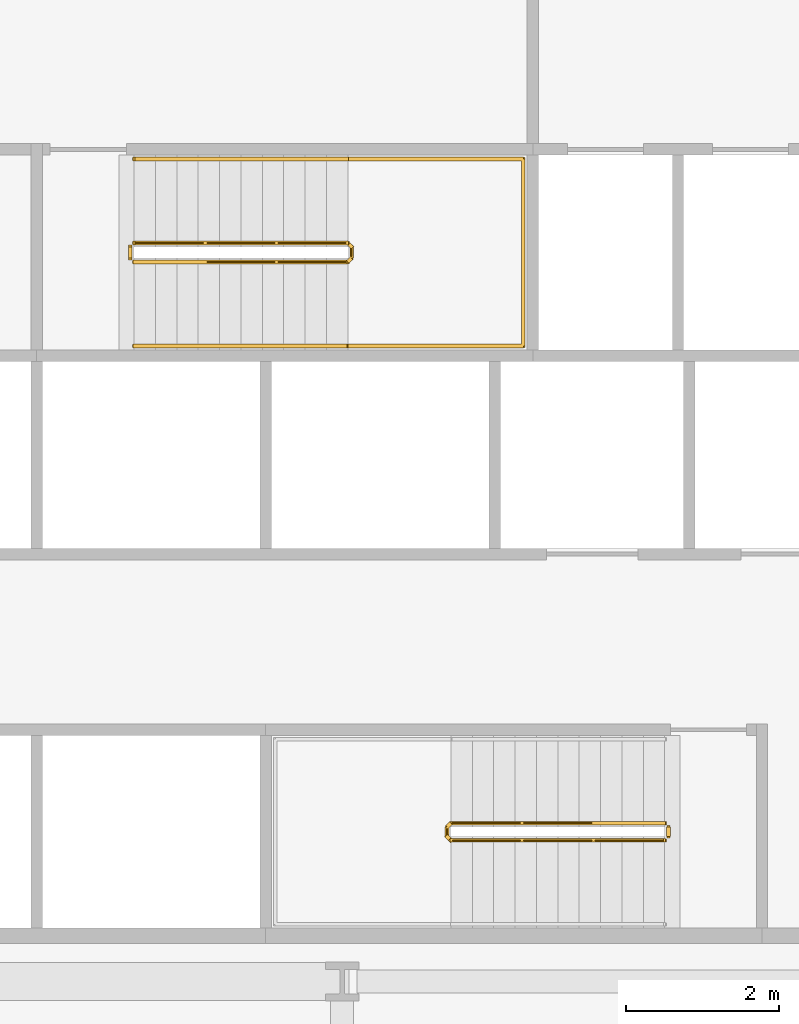
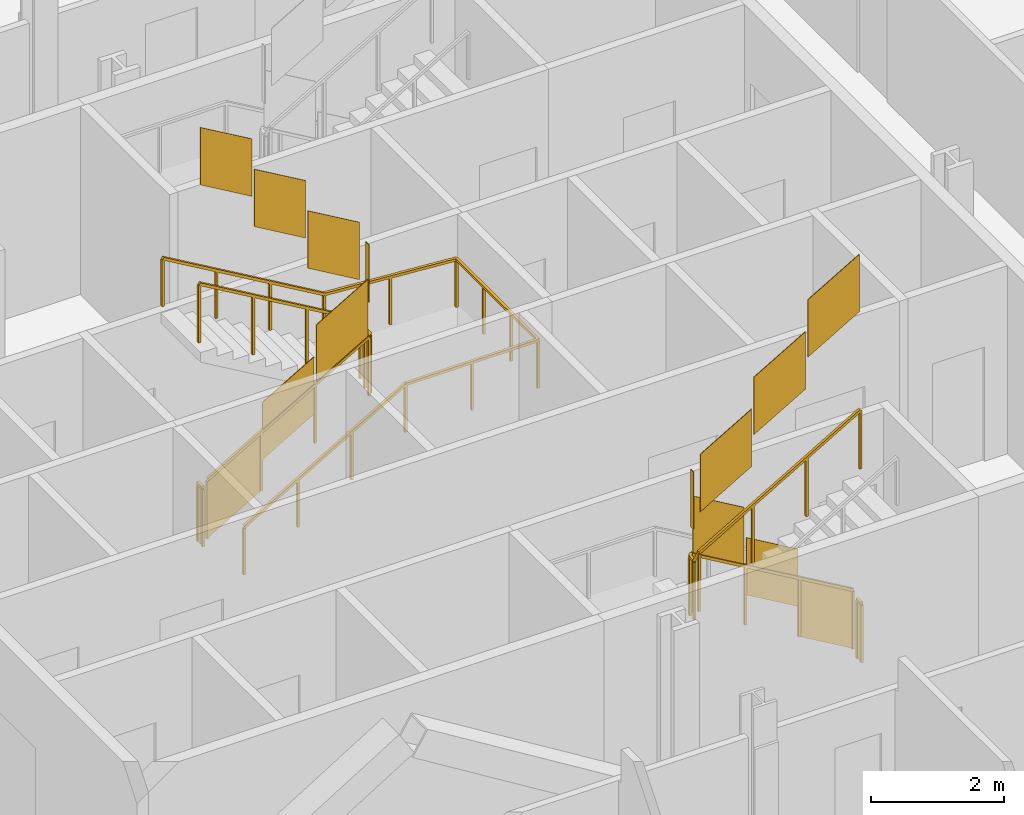
# One storey, part 14 of 17: 5 railings.
"""IFC4 building model written with IfcOpenShell, lengths in metres."""

from ifc_helpers import new_model, si_unit, direction, frame, origin, origin_2d, place, context, subcontext, project, spatial, polyline, rectangle, outline, extrude, material, type_object, element, save


model = new_model("IFC4")

# Units and contexts
model_context = context("Model", 3, precision=1e-05, world=origin(), true_north=direction((0.0, 1.0)))
body_context = subcontext(model_context, "Body", "Model", "MODEL_VIEW")
ifc_project = project(units=[si_unit("LENGTHUNIT", "METRE"), si_unit("AREAUNIT", "SQUARE_METRE"), si_unit("VOLUMEUNIT", "CUBIC_METRE"), si_unit("PLANEANGLEUNIT", "RADIAN"), si_unit("MASSUNIT", "GRAM", prefix="KILO")], contexts=[model_context])

# Site, building, storey
site_placement = place(None, origin())
site = spatial("IfcSite", under=ifc_project, at=site_placement, CompositionType="ELEMENT")
building_placement = place(site_placement, origin())
building = spatial("IfcBuilding", under=site, at=building_placement, Name="Cairn Pilgrim Tower", CompositionType="ELEMENT")
storey_placement = place(building_placement, frame((0.0, 0.0, 94.199951171875)))
storey = spatial("IfcBuildingStorey", under=building, at=storey_placement, Name="L22", CompositionType="ELEMENT", Elevation=94.199951171875)

# Railings
ifc_material = material(Name="Painted steel", Category="steel")
railing_type_1 = type_object("IfcRailingType", Name="STAIR GUARD 1100", PredefinedType="GUARDRAIL", material=ifc_material)
railing_1_placement = place(storey_placement, frame((11.425048828125, -3.925048828125, 0.16357421875)))
element("IfcRailing", 1, at=railing_1_placement, inside=storey, type_object=railing_type_1, Name="L22 ST-A stair guard 1", PredefinedType="GUARDRAIL", context=body_context, shape_type="SweptSolid", body=[
    extrude(rectangle(XDim=0.048095703125, YDim=0.048095703125, at=origin_2d()), frame((0.0, 0.0, 1.076171875), z_axis=(-0.863360870873, 0.0, 0.504586966384), x_axis=(0.0, -1.0, 0.0)), (0.0, 0.0, 1.0), 3.2431640625),
    extrude(rectangle(XDim=0.048095703125, YDim=0.048095703125, at=origin_2d()), frame((-2.800048828125, 0.0, 2.71240234375), z_axis=(-0.707106781187, -0.707106781187, 0.0), x_axis=(0.707106781187, -0.707106781187, 0.0)), (0.0, 0.0, 1.0), 0.07080078125),
    extrude(rectangle(XDim=0.048095703125, YDim=0.048095703125, at=origin_2d()), frame((-2.85009765625, -0.050048828125, 2.71240234375), z_axis=(0.0, -1.0, 0.0), x_axis=(1.0, 0.0, 0.0)), (0.0, 0.0, 1.0), 0.125),
    extrude(rectangle(XDim=0.048095703125, YDim=0.048095703125, at=origin_2d()), frame((-2.85009765625, -0.175048828125, 2.71240234375), z_axis=(0.280916556609, -0.279546231943, 0.91811752648), x_axis=(0.705375805398, 0.708833529934, 0.0)), (0.0, 0.0, 1.0), 0.17822265625),
    extrude(rectangle(XDim=0.048095703125, YDim=0.048095703125, at=origin_2d()), frame((-2.800048828125, -0.224853515625, 2.8759765625), z_axis=(0.863360870873, 0.0, 0.504586966384), x_axis=(0.0, 1.0, 0.0)), (0.0, 0.0, 1.0), 3.2431640625),
    extrude(rectangle(XDim=0.0419921875, YDim=0.0419921875, at=origin_2d()), origin(), (0.0, 0.0, 1.0), 1.052001953125),
    extrude(rectangle(XDim=0.0419921875, YDim=0.0419921875, at=origin_2d()), frame((-0.933349609375, 0.0, 0.54541015625)), (0.0, 0.0, 1.0), 1.052001953125),
    extrude(rectangle(XDim=0.0419921875, YDim=0.0419921875, at=origin_2d()), frame((-1.86669921875, 0.0, 1.091064453125)), (0.0, 0.0, 1.0), 1.052001953125),
    extrude(rectangle(XDim=0.0419921875, YDim=0.0419921875, at=origin_2d()), frame((-2.800048828125, 0.0, 1.636474609375)), (0.0, 0.0, 1.0), 1.052001953125),
    extrude(rectangle(XDim=0.0419921875, YDim=0.0419921875, at=origin_2d()), frame((-2.85009765625, -0.050048828125, 1.636474609375)), (0.0, 0.0, 1.0), 1.052001953125),
    extrude(rectangle(XDim=0.0419921875, YDim=0.0419921875, at=origin_2d()), frame((-2.85009765625, -0.175048828125, 1.636474609375)), (0.0, 0.0, 1.0), 1.052001953125),
    extrude(rectangle(XDim=0.0419921875, YDim=0.0419921875, at=origin_2d()), frame((-2.800048828125, -0.224853515625, 1.800048828125)), (0.0, 0.0, 1.0), 1.052001953125),
    extrude(rectangle(XDim=0.0419921875, YDim=0.0419921875, at=origin_2d()), frame((-1.86669921875, -0.224853515625, 2.345458984375)), (0.0, 0.0, 1.0), 1.052001953125),
    extrude(rectangle(XDim=0.0419921875, YDim=0.0419921875, at=origin_2d()), frame((-0.933349609375, -0.224853515625, 2.89111328125)), (0.0, 0.0, 1.0), 1.052001953125),
    extrude(rectangle(XDim=0.0419921875, YDim=0.0419921875, at=origin_2d()), frame((0.0, -0.224853515625, 3.4365234375)), (0.0, 0.0, 1.0), 1.052001953125),
    extrude(outline(polyline([(0.02099609375, 0.01220703125), (0.912353515625, 0.533203125), (0.912353515625, 1.585205078125), (0.02099609375, 1.064208984375), (0.02099609375, 0.01220703125)])), frame((0.0, -0.005859375, 0.0), z_axis=(0.0, 1.0, 0.0), x_axis=(-1.0, 0.0, 0.0)), (0.0, 0.0, 1.0), 0.011962890625),
    extrude(outline(polyline([(0.02099609375, 0.557861328125), (0.912353515625, 1.07861328125), (0.912353515625, 2.130615234375), (0.02099609375, 1.60986328125), (0.02099609375, 0.557861328125)])), frame((-0.933349609375, -0.005859375, 0.54541015625), z_axis=(0.0, 1.0, 0.0), x_axis=(-1.0, 0.0, 0.0)), (0.0, 0.0, 1.0), 0.011962890625),
    extrude(outline(polyline([(0.02099609375, 1.103271484375), (0.912353515625, 1.624267578125), (0.912353515625, 2.67626953125), (0.02099609375, 2.1552734375), (0.02099609375, 1.103271484375)])), frame((-1.86669921875, -0.005859375, 1.091064453125), z_axis=(0.0, 1.0, 0.0), x_axis=(-1.0, 0.0, 0.0)), (0.0, 0.0, 1.0), 0.011962890625),
    extrude(outline(polyline([(0.02099609375, 1.636474609375), (0.10400390625, 1.636474609375), (0.10400390625, 2.6884765625), (0.02099609375, 2.6884765625), (0.02099609375, 1.636474609375)])), frame((-2.84423828125, -0.050048828125, 1.636474609375), z_axis=(-1.0, 0.0, 0.0), x_axis=(0.0, -1.0, 0.0)), (0.0, 0.0, 1.0), 0.011962890625),
    extrude(outline(polyline([(0.02099609375, 1.812255859375), (0.912353515625, 2.333251953125), (0.912353515625, 3.38525390625), (0.02099609375, 2.8642578125), (0.02099609375, 1.812255859375)])), frame((-2.800048828125, -0.21875, 1.800048828125), z_axis=(0.0, -1.0, 0.0), x_axis=(1.0, 0.0, 0.0)), (0.0, 0.0, 1.0), 0.011962890625),
    extrude(outline(polyline([(0.02099609375, 2.35791015625), (0.912353515625, 2.878662109375), (0.912353515625, 3.9306640625), (0.02099609375, 3.409912109375), (0.02099609375, 2.35791015625)])), frame((-1.86669921875, -0.21875, 2.345458984375), z_axis=(0.0, -1.0, 0.0), x_axis=(1.0, 0.0, 0.0)), (0.0, 0.0, 1.0), 0.011962890625),
    extrude(outline(polyline([(0.02099609375, 2.9033203125), (0.912353515625, 3.42431640625), (0.912353515625, 4.476318359375), (0.02099609375, 3.955322265625), (0.02099609375, 2.9033203125)])), frame((-0.933349609375, -0.21875, 2.89111328125), z_axis=(0.0, -1.0, 0.0), x_axis=(1.0, 0.0, 0.0)), (0.0, 0.0, 1.0), 0.011962890625),
])
railing_2_placement = place(storey_placement, frame((11.47509765625, -3.97509765625, 0.0)))
element("IfcRailing", 2, at=railing_2_placement, inside=storey, type_object=railing_type_1, Name="L22 ST-A stair guard 2", PredefinedType="GUARDRAIL", context=body_context, shape_type="SweptSolid", body=[
    extrude(rectangle(XDim=0.048095703125, YDim=0.048095703125, at=origin_2d()), frame((0.0, 0.0, 1.076171875), z_axis=(0.0, -1.0, 0.0), x_axis=(1.0, 0.0, 0.0)), (0.0, 0.0, 1.0), 0.125),
    extrude(rectangle(XDim=0.0419921875, YDim=0.0419921875, at=origin_2d()), origin(), (0.0, 0.0, 1.0), 1.052001953125),
    extrude(rectangle(XDim=0.0419921875, YDim=0.0419921875, at=origin_2d()), frame((0.0, -0.125, 0.0)), (0.0, 0.0, 1.0), 1.052001953125),
    extrude(outline(polyline([(0.02099609375, 0.0), (0.10400390625, 0.0), (0.10400390625, 1.052001953125), (0.02099609375, 1.052001953125), (0.02099609375, 0.0)])), frame((0.005859375, 0.0, 0.0), z_axis=(-1.0, 0.0, 0.0), x_axis=(0.0, -1.0, 0.0)), (0.0, 0.0, 1.0), 0.011962890625),
])
railing_3_placement = place(storey_placement, frame((4.47509765625, 3.425048828125, 0.16357421875)))
element("IfcRailing", 3, at=railing_3_placement, inside=storey, type_object=railing_type_1, Name="L22 ST-B stair guard 1", PredefinedType="GUARDRAIL", context=body_context, shape_type="SweptSolid", body=[
    extrude(rectangle(XDim=0.048095703125, YDim=0.048095703125, at=origin_2d()), frame((0.0, 0.0, 1.076171875), z_axis=(0.863341702679, 0.0, 0.504619762213), x_axis=(0.0, 1.0, 0.0)), (0.0, 0.0, 1.0), 3.242919921875),
    extrude(rectangle(XDim=0.048095703125, YDim=0.048095703125, at=origin_2d()), frame((2.7998046875, 0.0, 2.71240234375), z_axis=(0.707106781187, 0.707106781187, 0.0), x_axis=(-0.707106781187, 0.707106781187, 0.0)), (0.0, 0.0, 1.0), 0.07080078125),
    extrude(rectangle(XDim=0.048095703125, YDim=0.048095703125, at=origin_2d()), frame((2.849853515625, 0.050048828125, 2.71240234375), z_axis=(0.0, 1.0, 0.0), x_axis=(-1.0, 0.0, 0.0)), (0.0, 0.0, 1.0), 0.14990234375),
    extrude(rectangle(XDim=0.048095703125, YDim=0.048095703125, at=origin_2d()), frame((2.849853515625, 0.199951171875, 2.71240234375), z_axis=(-0.280808744504, 0.280808744504, 0.917765164963), x_axis=(-0.707106781187, -0.707106781187, 0.0)), (0.0, 0.0, 1.0), 0.17822265625),
    extrude(rectangle(XDim=0.048095703125, YDim=0.048095703125, at=origin_2d()), frame((2.7998046875, 0.25, 2.8759765625), z_axis=(-0.863341702679, 0.0, 0.504619762213), x_axis=(0.0, -1.0, 0.0)), (0.0, 0.0, 1.0), 3.242919921875),
    extrude(rectangle(XDim=0.0419921875, YDim=0.0419921875, at=origin_2d()), origin(), (0.0, 0.0, 1.0), 1.052001953125),
    extrude(rectangle(XDim=0.0419921875, YDim=0.0419921875, at=origin_2d()), frame((0.933349609375, 0.0, 0.54541015625)), (0.0, 0.0, 1.0), 1.052001953125),
    extrude(rectangle(XDim=0.0419921875, YDim=0.0419921875, at=origin_2d()), frame((1.866455078125, 0.0, 1.091064453125)), (0.0, 0.0, 1.0), 1.052001953125),
    extrude(rectangle(XDim=0.0419921875, YDim=0.0419921875, at=origin_2d()), frame((2.7998046875, 0.0, 1.636474609375)), (0.0, 0.0, 1.0), 1.052001953125),
    extrude(rectangle(XDim=0.0419921875, YDim=0.0419921875, at=origin_2d()), frame((2.849853515625, 0.050048828125, 1.636474609375)), (0.0, 0.0, 1.0), 1.052001953125),
    extrude(rectangle(XDim=0.0419921875, YDim=0.0419921875, at=origin_2d()), frame((2.849853515625, 0.199951171875, 1.636474609375)), (0.0, 0.0, 1.0), 1.052001953125),
    extrude(rectangle(XDim=0.0419921875, YDim=0.0419921875, at=origin_2d()), frame((2.7998046875, 0.25, 1.800048828125)), (0.0, 0.0, 1.0), 1.052001953125),
    extrude(rectangle(XDim=0.0419921875, YDim=0.0419921875, at=origin_2d()), frame((1.866455078125, 0.25, 2.345458984375)), (0.0, 0.0, 1.0), 1.052001953125),
    extrude(rectangle(XDim=0.0419921875, YDim=0.0419921875, at=origin_2d()), frame((0.933349609375, 0.25, 2.89111328125)), (0.0, 0.0, 1.0), 1.052001953125),
    extrude(rectangle(XDim=0.0419921875, YDim=0.0419921875, at=origin_2d()), frame((0.0, 0.25, 3.4365234375)), (0.0, 0.0, 1.0), 1.052001953125),
    extrude(outline(polyline([(0.02099609375, 0.01220703125), (0.912353515625, 0.533203125), (0.912353515625, 1.585205078125), (0.02099609375, 1.064208984375), (0.02099609375, 0.01220703125)])), frame((0.0, 0.005859375, 0.0), z_axis=(0.0, -1.0, 0.0), x_axis=(1.0, 0.0, 0.0)), (0.0, 0.0, 1.0), 0.011962890625),
    extrude(outline(polyline([(0.02099609375, 0.557861328125), (0.912353515625, 1.07861328125), (0.912353515625, 2.130615234375), (0.02099609375, 1.60986328125), (0.02099609375, 0.557861328125)])), frame((0.933349609375, 0.005859375, 0.54541015625), z_axis=(0.0, -1.0, 0.0), x_axis=(1.0, 0.0, 0.0)), (0.0, 0.0, 1.0), 0.011962890625),
    extrude(outline(polyline([(0.02099609375, 1.103271484375), (0.912353515625, 1.624267578125), (0.912353515625, 2.67626953125), (0.02099609375, 2.1552734375), (0.02099609375, 1.103271484375)])), frame((1.866455078125, 0.005859375, 1.091064453125), z_axis=(0.0, -1.0, 0.0), x_axis=(1.0, 0.0, 0.0)), (0.0, 0.0, 1.0), 0.011962890625),
    extrude(outline(polyline([(0.02099609375, 1.636474609375), (0.12890625, 1.636474609375), (0.12890625, 2.6884765625), (0.02099609375, 2.6884765625), (0.02099609375, 1.636474609375)])), frame((2.84375, 0.050048828125, 1.636474609375), z_axis=(1.0, 0.0, 0.0), x_axis=(0.0, 1.0, 0.0)), (0.0, 0.0, 1.0), 0.011962890625),
    extrude(outline(polyline([(0.02099609375, 1.812255859375), (0.912353515625, 2.333251953125), (0.912353515625, 3.38525390625), (0.02099609375, 2.8642578125), (0.02099609375, 1.812255859375)])), frame((2.7998046875, 0.244140625, 1.800048828125), z_axis=(0.0, 1.0, 0.0), x_axis=(-1.0, 0.0, 0.0)), (0.0, 0.0, 1.0), 0.011962890625),
    extrude(outline(polyline([(0.02099609375, 2.35791015625), (0.912353515625, 2.878662109375), (0.912353515625, 3.9306640625), (0.02099609375, 3.409912109375), (0.02099609375, 2.35791015625)])), frame((1.866455078125, 0.244140625, 2.345458984375), z_axis=(0.0, 1.0, 0.0), x_axis=(-1.0, 0.0, 0.0)), (0.0, 0.0, 1.0), 0.011962890625),
    extrude(outline(polyline([(0.02099609375, 2.9033203125), (0.912353515625, 3.42431640625), (0.912353515625, 4.476318359375), (0.02099609375, 3.955322265625), (0.02099609375, 2.9033203125)])), frame((0.933349609375, 0.244140625, 2.89111328125), z_axis=(0.0, 1.0, 0.0), x_axis=(-1.0, 0.0, 0.0)), (0.0, 0.0, 1.0), 0.011962890625),
])
railing_4_placement = place(storey_placement, frame((4.425048828125, 3.47509765625, 0.0)))
element("IfcRailing", 4, at=railing_4_placement, inside=storey, type_object=railing_type_1, Name="L22 ST-B stair guard 2", PredefinedType="GUARDRAIL", context=body_context, shape_type="SweptSolid", body=[
    extrude(rectangle(XDim=0.048095703125, YDim=0.048095703125, at=origin_2d()), frame((0.0, 0.0, 1.076171875), z_axis=(0.0, 1.0, 0.0), x_axis=(-1.0, 0.0, 0.0)), (0.0, 0.0, 1.0), 0.14990234375),
    extrude(rectangle(XDim=0.0419921875, YDim=0.0419921875, at=origin_2d()), origin(), (0.0, 0.0, 1.0), 1.052001953125),
    extrude(rectangle(XDim=0.0419921875, YDim=0.0419921875, at=origin_2d()), frame((0.0, 0.14990234375, 0.0)), (0.0, 0.0, 1.0), 1.052001953125),
    extrude(outline(polyline([(0.02099609375, 0.0), (0.12890625, 0.0), (0.12890625, 1.052001953125), (0.02099609375, 1.052001953125), (0.02099609375, 0.0)])), frame((-0.005859375, 0.0, 0.0), z_axis=(1.0, 0.0, 0.0), x_axis=(0.0, 1.0, 0.0)), (0.0, 0.0, 1.0), 0.011962890625),
])
railing_type_2 = type_object("IfcRailingType", Name="STAIR HANDRAIL 900", PredefinedType="HANDRAIL", material=ifc_material)
railing_5_placement = place(storey_placement, frame((4.47509765625, 2.324951171875, 0.16357421875)))
element("IfcRailing", 5, at=railing_5_placement, inside=storey, type_object=railing_type_2, Name="L22 ST-B stair handrail 1", PredefinedType="HANDRAIL", context=body_context, shape_type="SweptSolid", body=[
    extrude(rectangle(XDim=0.048095703125, YDim=0.048095703125, at=origin_2d()), frame((0.0, 0.0, 0.8759765625), z_axis=(0.863341702679, 0.0, 0.504619762213), x_axis=(0.0, 1.0, 0.0)), (0.0, 0.0, 1.0), 3.242919921875),
    extrude(rectangle(XDim=0.048095703125, YDim=0.048095703125, at=origin_2d()), frame((2.7998046875, 0.0, 2.51220703125), z_axis=(1.0, 0.0, 0.0), x_axis=(0.0, 1.0, 0.0)), (0.0, 0.0, 1.0), 2.300048828125),
    extrude(rectangle(XDim=0.048095703125, YDim=0.048095703125, at=origin_2d()), frame((5.099853515625, 0.0, 2.51220703125), z_axis=(0.0, 1.0, 0.0), x_axis=(-1.0, 0.0, 0.0)), (0.0, 0.0, 1.0), 2.449951171875),
    extrude(rectangle(XDim=0.048095703125, YDim=0.048095703125, at=origin_2d()), frame((5.099853515625, 2.449951171875, 2.51220703125), z_axis=(-0.997480687736, 0.0, 0.070938548008), x_axis=(0.0, -1.0, 0.0)), (0.0, 0.0, 1.0), 2.305908203125),
    extrude(rectangle(XDim=0.048095703125, YDim=0.048095703125, at=origin_2d()), frame((2.7998046875, 2.449951171875, 2.67578125), z_axis=(-0.863341702679, 0.0, 0.504619762213), x_axis=(0.0, -1.0, 0.0)), (0.0, 0.0, 1.0), 3.242919921875),
    extrude(rectangle(XDim=0.0419921875, YDim=0.0419921875, at=origin_2d()), origin(), (0.0, 0.0, 1.0), 0.851806640625),
    extrude(rectangle(XDim=0.0419921875, YDim=0.0419921875, at=origin_2d()), frame((0.933349609375, 0.0, 0.54541015625)), (0.0, 0.0, 1.0), 0.851806640625),
    extrude(rectangle(XDim=0.0419921875, YDim=0.0419921875, at=origin_2d()), frame((1.866455078125, 0.0, 1.091064453125)), (0.0, 0.0, 1.0), 0.851806640625),
    extrude(rectangle(XDim=0.0419921875, YDim=0.0419921875, at=origin_2d()), frame((2.7998046875, 0.0, 1.636474609375)), (0.0, 0.0, 1.0), 0.851806640625),
    extrude(rectangle(XDim=0.0419921875, YDim=0.0419921875, at=origin_2d()), frame((3.94970703125, 0.0, 1.636474609375)), (0.0, 0.0, 1.0), 0.851806640625),
    extrude(rectangle(XDim=0.0419921875, YDim=0.0419921875, at=origin_2d()), frame((5.099853515625, 0.0, 1.636474609375)), (0.0, 0.0, 1.0), 0.851806640625),
    extrude(rectangle(XDim=0.0419921875, YDim=0.0419921875, at=origin_2d()), frame((5.099853515625, 0.816650390625, 1.636474609375)), (0.0, 0.0, 1.0), 0.851806640625),
    extrude(rectangle(XDim=0.0419921875, YDim=0.0419921875, at=origin_2d()), frame((5.099853515625, 1.63330078125, 1.636474609375)), (0.0, 0.0, 1.0), 0.851806640625),
    extrude(rectangle(XDim=0.0419921875, YDim=0.0419921875, at=origin_2d()), frame((5.099853515625, 2.449951171875, 1.636474609375)), (0.0, 0.0, 1.0), 0.851806640625),
    extrude(rectangle(XDim=0.0419921875, YDim=0.0419921875, at=origin_2d()), frame((3.94970703125, 2.449951171875, 1.71826171875)), (0.0, 0.0, 1.0), 0.851806640625),
    extrude(rectangle(XDim=0.0419921875, YDim=0.0419921875, at=origin_2d()), frame((2.7998046875, 2.449951171875, 1.800048828125)), (0.0, 0.0, 1.0), 0.851806640625),
    extrude(rectangle(XDim=0.0419921875, YDim=0.0419921875, at=origin_2d()), frame((1.866455078125, 2.449951171875, 2.345458984375)), (0.0, 0.0, 1.0), 0.851806640625),
    extrude(rectangle(XDim=0.0419921875, YDim=0.0419921875, at=origin_2d()), frame((0.933349609375, 2.449951171875, 2.89111328125)), (0.0, 0.0, 1.0), 0.851806640625),
    extrude(rectangle(XDim=0.0419921875, YDim=0.0419921875, at=origin_2d()), frame((0.0, 2.449951171875, 3.4365234375)), (0.0, 0.0, 1.0), 0.851806640625),
])

save(model, "model.ifc")
